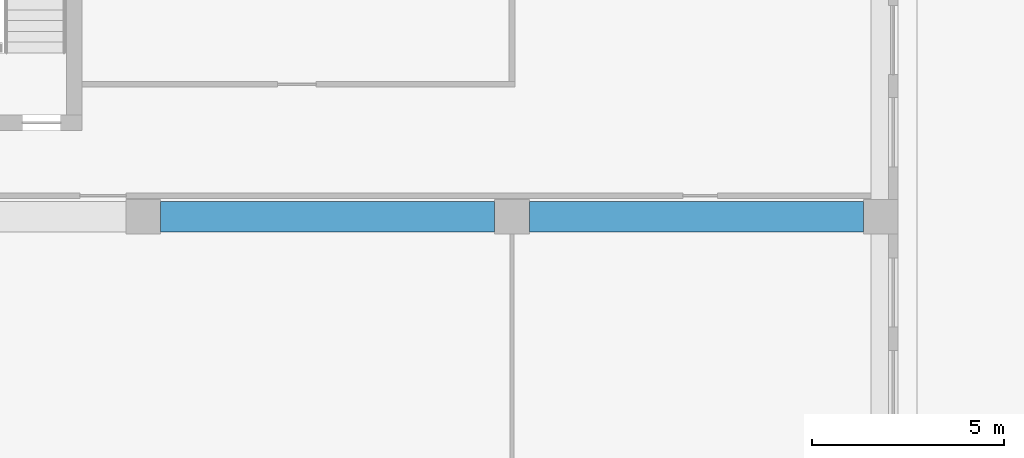
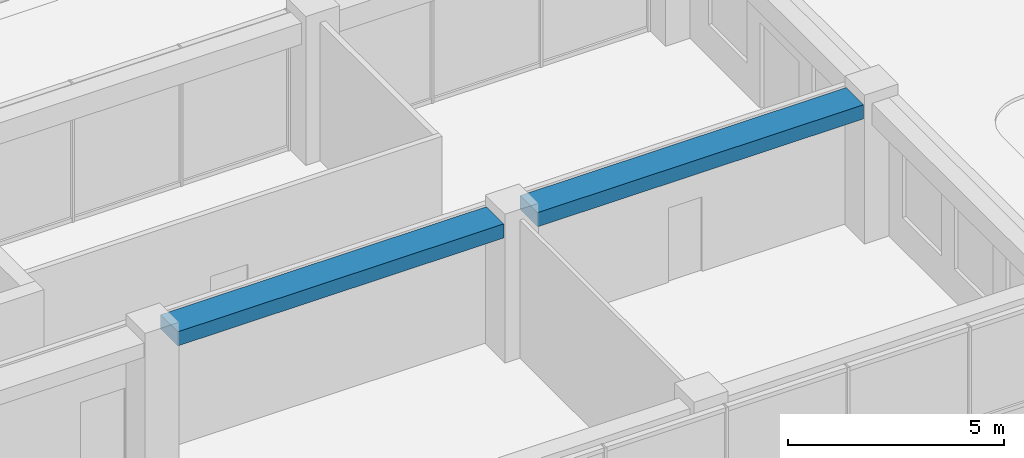
# One storey, part 13 of 72: 2 beams.
"""IFC4 building model written with IfcOpenShell, lengths in metres."""

from ifc_helpers import new_model, si_unit, direction, frame, origin, origin_2d, place, context, subcontext, project, spatial, rectangle, extrude, material, material_profile, profile_set, type_object, element, save


model = new_model("IFC4")

# Units and contexts
model_context = context("Model", 3, precision=1e-05, world=origin(), true_north=direction((0.0, 1.0)))
body_context = subcontext(model_context, "Body", "Model", "MODEL_VIEW")
ifc_project = project(units=[si_unit("LENGTHUNIT", "METRE"), si_unit("AREAUNIT", "SQUARE_METRE"), si_unit("VOLUMEUNIT", "CUBIC_METRE"), si_unit("PLANEANGLEUNIT", "RADIAN"), si_unit("MASSUNIT", "GRAM", prefix="KILO")], contexts=[model_context])

# Site, building, storey
site_placement = place(None, origin())
site = spatial("IfcSite", under=ifc_project, at=site_placement, CompositionType="ELEMENT")
building_placement = place(site_placement, origin())
building = spatial("IfcBuilding", under=site, at=building_placement, Name="Nzadi Deep Aquarium and Research Tower", CompositionType="ELEMENT")
storey_placement = place(building_placement, frame((0.0, 0.0, 31.89990234375)))
storey = spatial("IfcBuildingStorey", under=building, at=storey_placement, Name="L05", CompositionType="ELEMENT", Elevation=31.89990234375)

# Beams
ifc_material = material(Name="Concrete C35/45", Category="concrete")
ifc_material_profile = material_profile(ifc_material, rectangle(XDim=0.800048828125, YDim=0.39990234375, at=origin_2d()))
ifc_profile_set = profile_set([ifc_material_profile], Name="Concrete C35/45")
beam_type = type_object("IfcBeamType", Name="RC 800x400", PredefinedType="BEAM", material=ifc_profile_set)
for number, where, z_axis, x_axis, name in (
    (1, (29.25, 9.199951171875, 3.7001953125), (1.0, 0.0, 0.0), (0.0, 1.0, 0.0), "B-Z1-L05-L2-4"),
    (2, (38.85009765625, 9.199951171875, 3.7001953125), (1.0, 0.0, 0.0), (0.0, 1.0, 0.0), "B-Z1-L05-L2-5"),
):
    element("IfcBeam", number, at=place(storey_placement, frame(where, z_axis=z_axis, x_axis=x_axis)), inside=storey, type_object=beam_type, Name=name, PredefinedType="BEAM", context=body_context, shape_type="SweptSolid", body=[
        extrude(rectangle(XDim=0.800048828125, YDim=0.39990234375, at=origin_2d()), origin(), (0.0, 0.0, 1.0), 8.699951171875),
    ])

save(model, "model.ifc")
